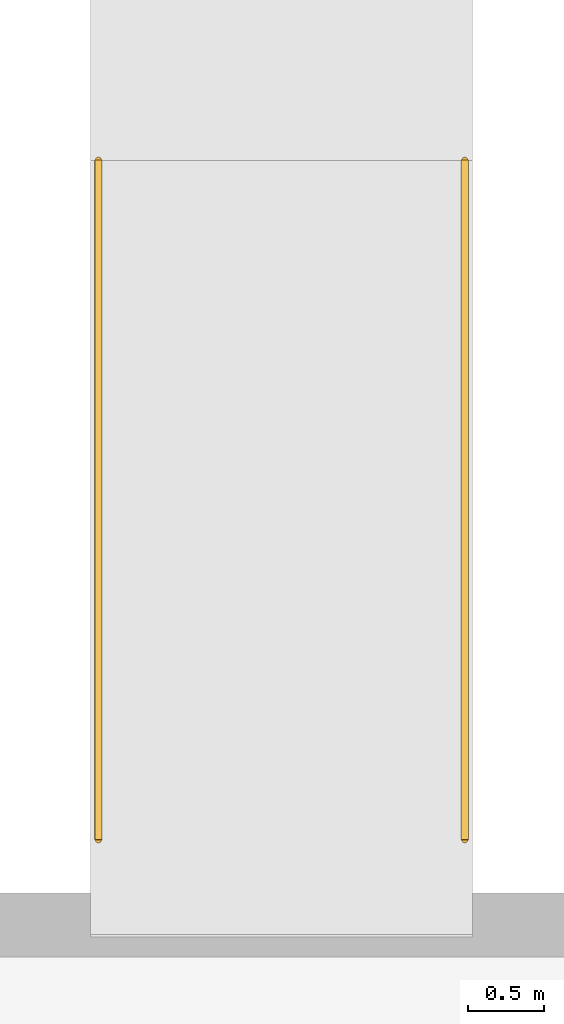
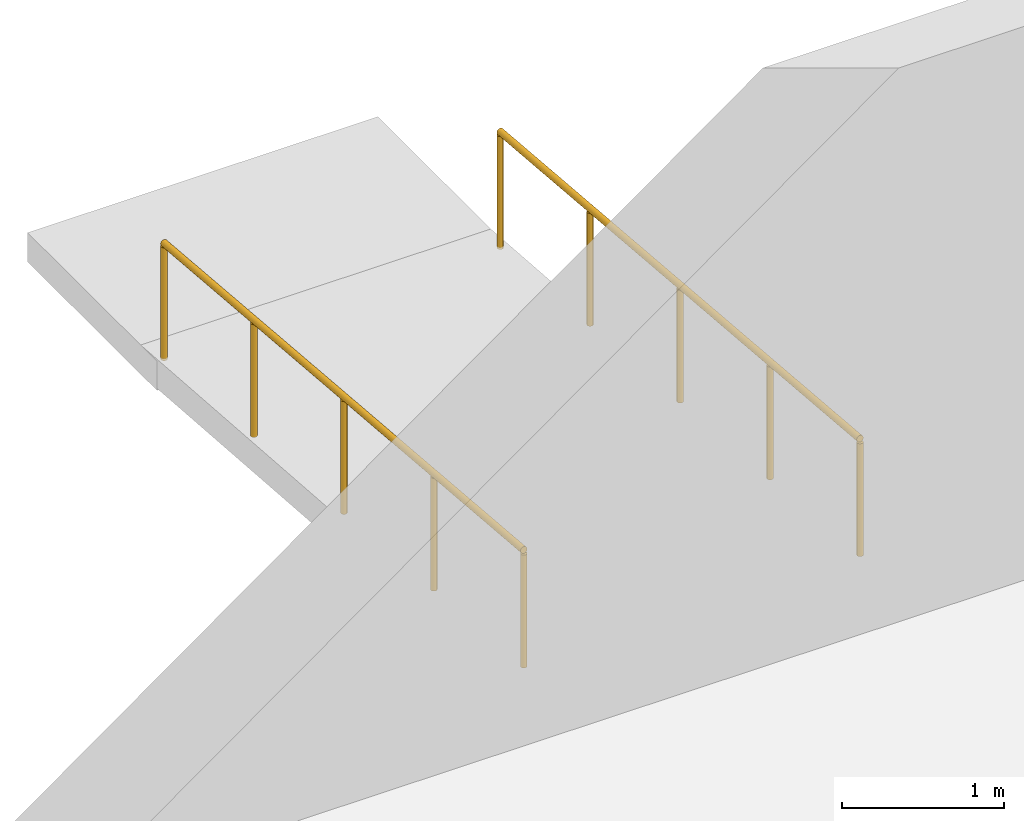
# One storey, part 41 of 42: 2 railings.
"""IFC4 building model written with IfcOpenShell, lengths in metres."""

from ifc_helpers import new_model, si_unit, direction, frame, origin, origin_2d, place, context, subcontext, project, spatial, circle, extrude, material, type_object, element, save


model = new_model("IFC4")

# Units and contexts
model_context = context("Model", 3, precision=1e-05, world=origin(), true_north=direction((0.0, 1.0)))
body_context = subcontext(model_context, "Body", "Model", "MODEL_VIEW")
ifc_project = project(units=[si_unit("LENGTHUNIT", "METRE"), si_unit("AREAUNIT", "SQUARE_METRE"), si_unit("VOLUMEUNIT", "CUBIC_METRE"), si_unit("PLANEANGLEUNIT", "RADIAN"), si_unit("MASSUNIT", "GRAM", prefix="KILO")], contexts=[model_context])

# Site, building, storey
site_placement = place(None, origin())
site = spatial("IfcSite", under=ifc_project, at=site_placement, CompositionType="ELEMENT")
building_placement = place(site_placement, origin())
building = spatial("IfcBuilding", under=site, at=building_placement, Name="Narakoshi Arena Tower", CompositionType="ELEMENT")
storey_placement = place(building_placement, origin())
storey = spatial("IfcBuildingStorey", under=building, at=storey_placement, Name="L00", CompositionType="ELEMENT", Elevation=0.0)

# Railings
ifc_material = material(Name="Brushed bronze stainless steel", Category="steel")
railing_type = type_object("IfcRailingType", Name="RL-HND-900", PredefinedType="HANDRAIL", material=ifc_material)
for number, where, name in (
    (1, (91.300048828125, 100.800048828125, -0.39990234375), "L00 Accessible Ramp Handrail RMP-N3-L"),
    (2, (93.699951171875, 100.800048828125, -0.39990234375), "L00 Accessible Ramp Handrail RMP-N3-R"),
):
    element("IfcRailing", number, at=place(storey_placement, frame(where)), inside=storey, type_object=railing_type, Name=name, PredefinedType="HANDRAIL", context=body_context, shape_type="SweptSolid", body=[
        extrude(circle(Radius=0.02392578125, at=origin_2d()), frame((0.0, 0.0, 0.8759765625), z_axis=(0.0, -0.996375960288, 0.085058484348), x_axis=(1.0, 0.0, 0.0)), (0.0, 0.0, 1.0), 4.466064453125),
        extrude(circle(Radius=0.02099609375, at=origin_2d()), origin(), (0.0, 0.0, 1.0), 0.851806640625),
        extrude(circle(Radius=0.02099609375, at=origin_2d()), frame((0.0, -1.112548828125, 0.094970703125)), (0.0, 0.0, 1.0), 0.851806640625),
        extrude(circle(Radius=0.02099609375, at=origin_2d()), frame((0.0, -2.22509765625, 0.18994140625)), (0.0, 0.0, 1.0), 0.851806640625),
        extrude(circle(Radius=0.02099609375, at=origin_2d()), frame((0.0, -3.33740234375, 0.284912109375)), (0.0, 0.0, 1.0), 0.851806640625),
        extrude(circle(Radius=0.02099609375, at=origin_2d()), frame((0.0, -4.449951171875, 0.3798828125)), (0.0, 0.0, 1.0), 0.851806640625),
    ])

save(model, "model.ifc")
